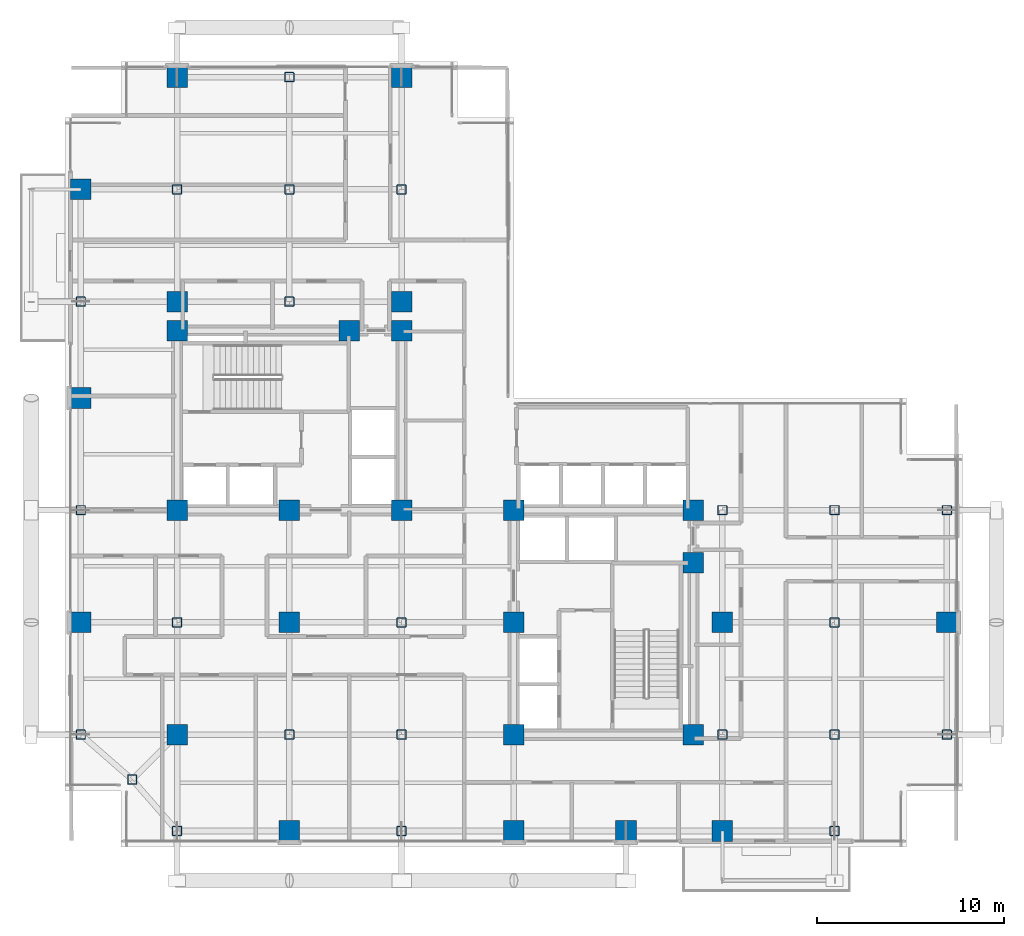
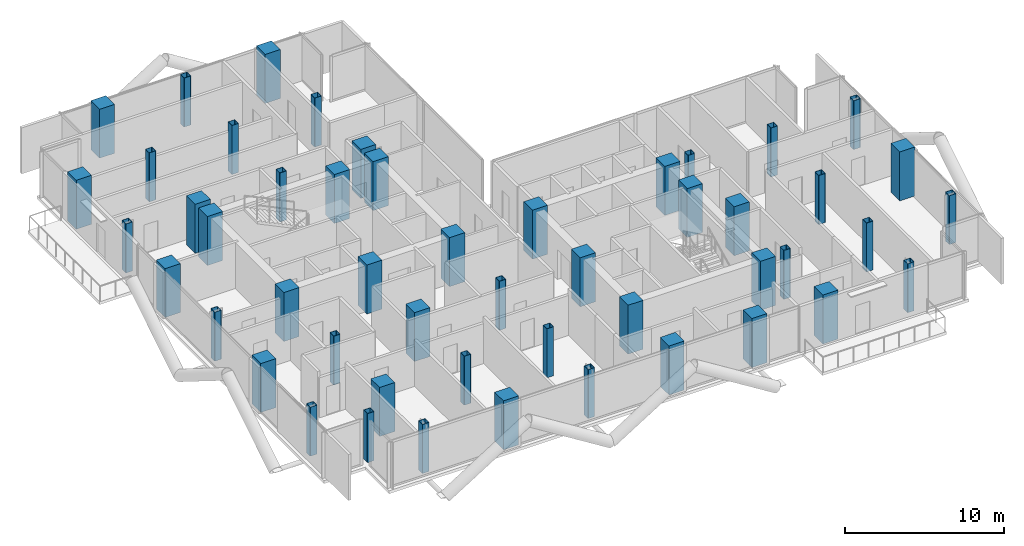
# One storey, part 1 of 28: 50 columns.
"""IFC4 building model written with IfcOpenShell, lengths in metres."""

from ifc_helpers import new_model, si_unit, direction, frame, origin, origin_2d, place, context, subcontext, project, spatial, rectangle, hollow_rectangle, extrude, material, material_profile, profile_set, type_object, element, save


model = new_model("IFC4")

# Units and contexts
model_context = context("Model", 3, precision=1e-05, world=origin(), true_north=direction((0.0, 1.0)))
body_context = subcontext(model_context, "Body", "Model", "MODEL_VIEW")
ifc_project = project(units=[si_unit("LENGTHUNIT", "METRE"), si_unit("AREAUNIT", "SQUARE_METRE"), si_unit("VOLUMEUNIT", "CUBIC_METRE"), si_unit("PLANEANGLEUNIT", "RADIAN"), si_unit("MASSUNIT", "GRAM", prefix="KILO"), si_unit("THERMODYNAMICTEMPERATUREUNIT", "KELVIN"), si_unit("POWERUNIT", "WATT")], contexts=[model_context])

# Site, building, storey
site_placement = place(None, origin())
site = spatial("IfcSite", under=ifc_project, at=site_placement, CompositionType="ELEMENT")
building_placement = place(site_placement, origin())
building = spatial("IfcBuilding", under=site, at=building_placement, Name="Svarakhadi Broadcast Tower", CompositionType="ELEMENT")
storey_placement = place(building_placement, frame((0.0, 0.0, 119.39990234375)))
storey = spatial("IfcBuildingStorey", under=building, at=storey_placement, Name="L28", CompositionType="ELEMENT", Elevation=119.39990234375)

# Columns
ifc_material_1 = material(Name="Concrete C50/60 (IS 456 M60)", Category="concrete")
ifc_material_profile_1 = material_profile(ifc_material_1, rectangle(XDim=1.10009765625, YDim=1.10009765625, at=origin_2d()), Name="RC 1100x1100")
ifc_profile_set_1 = profile_set([ifc_material_profile_1], Name="Concrete C50/60 (IS 456 M60)")
column_type_1 = type_object("IfcColumnType", Name="Col_RC1100", PredefinedType="COLUMN", material=ifc_profile_set_1)
for number, where, z_axis, x_axis, name in (
    (1, (6.0, 18.0, 0.0), (0.0, 0.0, 1.0), (1.0, 0.0, 0.0), "L28 Column CW1"),
    (2, (12.0, 18.0, 0.0), (0.0, 0.0, 1.0), (1.0, 0.0, 0.0), "L28 Column CW2"),
    (3, (18.0, 18.0, 0.0), (0.0, 0.0, 1.0), (1.0, 0.0, 0.0), "L28 Column CW3"),
    (4, (6.0, 27.60009765625, 0.0), (0.0, 0.0, 1.0), (1.0, 0.0, 0.0), "L28 Column CW4"),
    (5, (15.199951171875, 27.60009765625, 0.0), (0.0, 0.0, 1.0), (1.0, 0.0, 0.0), "L28 Column CW5"),
    (6, (18.0, 27.60009765625, 0.0), (0.0, 0.0, 1.0), (1.0, 0.0, 0.0), "L28 Column CW6"),
    (7, (24.0, 6.0, 0.0), (0.0, 0.0, 1.0), (1.0, 0.0, 0.0), "L28 Column CE1"),
    (8, (24.0, 12.0, 0.0), (0.0, 0.0, 1.0), (1.0, 0.0, 0.0), "L28 Column CE2"),
    (9, (24.0, 18.0, 0.0), (0.0, 0.0, 1.0), (1.0, 0.0, 0.0), "L28 Column CE3"),
    (10, (33.60009765625, 6.0, 0.0), (0.0, 0.0, 1.0), (1.0, 0.0, 0.0), "L28 Column CE4"),
    (11, (33.60009765625, 15.199951171875, 0.0), (0.0, 0.0, 1.0), (1.0, 0.0, 0.0), "L28 Column CE5"),
    (12, (33.60009765625, 18.0, 0.0), (0.0, 0.0, 1.0), (1.0, 0.0, 0.0), "L28 Column CE6"),
    (13, (0.85009765625, 12.0, 0.0), (0.0, 0.0, 1.0), (1.0, 0.0, 0.0), "L28 Column G04"),
    (14, (0.85009765625, 24.0, 0.0), (0.0, 0.0, 1.0), (1.0, 0.0, 0.0), "L28 Column G06"),
    (15, (0.85009765625, 35.14990234375, 0.0), (0.0, 0.0, 1.0), (1.0, 0.0, 0.0), "L28 Column G08"),
    (16, (6.0, 6.0, 0.0), (0.0, 0.0, 1.0), (1.0, 0.0, 0.0), "L28 Column G12"),
    (17, (6.0, 29.14990234375, 0.0), (0.0, 0.0, 1.0), (1.0, 0.0, 0.0), "L28 Column G14"),
    (18, (6.0, 41.14990234375, 0.0), (0.0, 0.0, 1.0), (1.0, 0.0, 0.0), "L28 Column G16"),
    (19, (12.0, 0.85009765625, 0.0), (0.0, 0.0, 1.0), (1.0, 0.0, 0.0), "L28 Column G18"),
    (20, (12.0, 12.0, 0.0), (0.0, 0.0, 1.0), (1.0, 0.0, 0.0), "L28 Column G20"),
    (21, (18.0, 29.14990234375, 0.0), (0.0, 0.0, 1.0), (1.0, 0.0, 0.0), "L28 Column G28"),
    (22, (18.0, 41.14990234375, 0.0), (0.0, 0.0, 1.0), (1.0, 0.0, 0.0), "L28 Column G30"),
    (23, (24.0, 0.85009765625, 0.0), (0.0, 0.0, 1.0), (1.0, 0.0, 0.0), "L28 Column G32"),
    (24, (30.0, 0.85009765625, 0.0), (0.0, 0.0, 1.0), (1.0, 0.0, 0.0), "L28 Column G36"),
    (25, (35.14990234375, 0.85009765625, 0.0), (0.0, 0.0, 1.0), (1.0, 0.0, 0.0), "L28 Column G38"),
    (26, (35.14990234375, 12.0, 0.0), (0.0, 0.0, 1.0), (1.0, 0.0, 0.0), "L28 Column G40"),
    (27, (47.14990234375, 12.0, 0.0), (0.0, 0.0, 1.0), (1.0, 0.0, 0.0), "L28 Column G52"),
):
    element("IfcColumn", number, at=place(storey_placement, frame(where, z_axis=z_axis, x_axis=x_axis)), inside=storey, type_object=column_type_1, Name=name, PredefinedType="COLUMN", context=body_context, shape_type="SweptSolid", body=[
        extrude(rectangle(XDim=1.10009765625, YDim=1.10009765625, at=origin_2d()), origin(), (0.0, 0.0, 1.0), 3.75),
    ])
ifc_material_2 = material(Name="Steel S460ML (IS 2062 E450BR)", Category="steel")
ifc_material_profile_2 = material_profile(ifc_material_2, hollow_rectangle(XDim=0.5, YDim=0.5, WallThickness=0.02490234375, InnerFilletRadius=0.02490234375, OuterFilletRadius=0.0400390625, at=origin_2d()), Name="SHS 500x500x25")
ifc_profile_set_2 = profile_set([ifc_material_profile_2], Name="Steel S460ML (IS 2062 E450BR)")
column_type_2 = type_object("IfcColumnType", Name="Col_SHS500", PredefinedType="COLUMN", material=ifc_profile_set_2)
for number, where, z_axis, x_axis, name in (
    (28, (3.60009765625, 3.60009765625, 0.0), (0.0, 0.0, 1.0), (1.0, 0.0, 0.0), "L28 Column G01"),
    (29, (0.85009765625, 6.0, 0.0), (0.0, 0.0, 1.0), (1.0, 0.0, 0.0), "L28 Column G03"),
    (30, (0.85009765625, 18.0, 0.0), (0.0, 0.0, 1.0), (1.0, 0.0, 0.0), "L28 Column G05"),
    (31, (0.85009765625, 29.14990234375, 0.0), (0.0, 0.0, 1.0), (1.0, 0.0, 0.0), "L28 Column G07"),
    (32, (6.0, 0.85009765625, 0.0), (0.0, 0.0, 1.0), (1.0, 0.0, 0.0), "L28 Column G11"),
    (33, (6.0, 12.0, 0.0), (0.0, 0.0, 1.0), (1.0, 0.0, 0.0), "L28 Column G13"),
    (34, (6.0, 35.14990234375, 0.0), (0.0, 0.0, 1.0), (1.0, 0.0, 0.0), "L28 Column G15"),
    (35, (12.0, 6.0, 0.0), (0.0, 0.0, 1.0), (1.0, 0.0, 0.0), "L28 Column G19"),
    (36, (12.0, 29.14990234375, 0.0), (0.0, 0.0, 1.0), (1.0, 0.0, 0.0), "L28 Column G21"),
    (37, (12.0, 35.14990234375, 0.0), (0.0, 0.0, 1.0), (1.0, 0.0, 0.0), "L28 Column G22"),
    (38, (12.0, 41.14990234375, 0.0), (0.0, 0.0, 1.0), (1.0, 0.0, 0.0), "L28 Column G23"),
    (39, (18.0, 0.85009765625, 0.0), (0.0, 0.0, 1.0), (1.0, 0.0, 0.0), "L28 Column G25"),
    (40, (18.0, 6.0, 0.0), (0.0, 0.0, 1.0), (1.0, 0.0, 0.0), "L28 Column G26"),
    (41, (18.0, 12.0, 0.0), (0.0, 0.0, 1.0), (1.0, 0.0, 0.0), "L28 Column G27"),
    (42, (18.0, 35.14990234375, 0.0), (0.0, 0.0, 1.0), (1.0, 0.0, 0.0), "L28 Column G29"),
    (43, (35.14990234375, 6.0, 0.0), (0.0, 0.0, 1.0), (1.0, 0.0, 0.0), "L28 Column G39"),
    (44, (35.14990234375, 18.0, 0.0), (0.0, 0.0, 1.0), (1.0, 0.0, 0.0), "L28 Column G41"),
    (45, (41.14990234375, 0.85009765625, 0.0), (0.0, 0.0, 1.0), (1.0, 0.0, 0.0), "L28 Column G43"),
    (46, (41.14990234375, 6.0, 0.0), (0.0, 0.0, 1.0), (1.0, 0.0, 0.0), "L28 Column G44"),
    (47, (41.14990234375, 12.0, 0.0), (0.0, 0.0, 1.0), (1.0, 0.0, 0.0), "L28 Column G45"),
    (48, (41.14990234375, 18.0, 0.0), (0.0, 0.0, 1.0), (1.0, 0.0, 0.0), "L28 Column G46"),
    (49, (47.14990234375, 6.0, 0.0), (0.0, 0.0, 1.0), (1.0, 0.0, 0.0), "L28 Column G51"),
    (50, (47.14990234375, 18.0, 0.0), (0.0, 0.0, 1.0), (1.0, 0.0, 0.0), "L28 Column G53"),
):
    element("IfcColumn", number, at=place(storey_placement, frame(where, z_axis=z_axis, x_axis=x_axis)), inside=storey, type_object=column_type_2, Name=name, PredefinedType="COLUMN", context=body_context, shape_type="SweptSolid", body=[
        extrude(hollow_rectangle(XDim=0.5, YDim=0.5, WallThickness=0.02490234375, InnerFilletRadius=0.02490234375, OuterFilletRadius=0.0400390625, at=origin_2d()), origin(), (0.0, 0.0, 1.0), 3.75),
    ])

save(model, "model.ifc")
